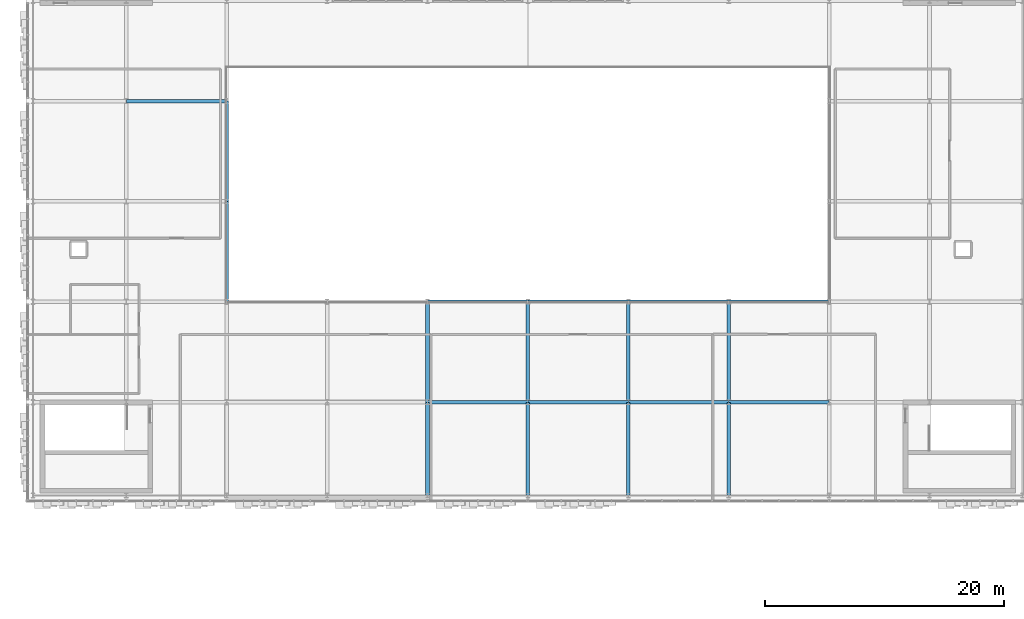
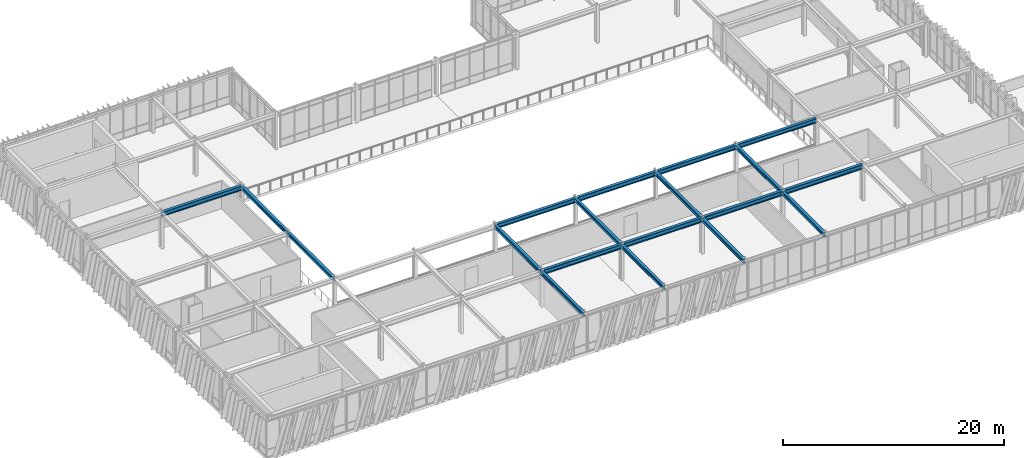
# One storey, part 39 of 123: 19 beams.
"""IFC4 building model written with IfcOpenShell, lengths in metres."""

from ifc_helpers import new_model, si_unit, direction, frame, origin, origin_2d, place, context, subcontext, project, spatial, i_section, extrude, material, material_profile, profile_set, type_object, element, save


model = new_model("IFC4")

# Units and contexts
model_context = context("Model", 3, precision=1e-05, world=origin(), true_north=direction((0.0, 1.0)))
body_context = subcontext(model_context, "Body", "Model", "MODEL_VIEW")
ifc_project = project(units=[si_unit("LENGTHUNIT", "METRE"), si_unit("AREAUNIT", "SQUARE_METRE"), si_unit("VOLUMEUNIT", "CUBIC_METRE"), si_unit("PLANEANGLEUNIT", "RADIAN"), si_unit("MASSUNIT", "GRAM", prefix="KILO")], contexts=[model_context])

# Site, building, storey
site_placement = place(None, origin())
site = spatial("IfcSite", under=ifc_project, at=site_placement, CompositionType="ELEMENT")
building_placement = place(site_placement, origin())
building = spatial("IfcBuilding", under=site, at=building_placement, Name="Zayran Congress Hotel", CompositionType="ELEMENT")
storey_placement = place(building_placement, frame((0.0, 0.0, 15.0)))
storey = spatial("IfcBuildingStorey", under=building, at=storey_placement, Name="L03", CompositionType="ELEMENT", Elevation=15.0)

# Beams
ifc_material = material(Name="Steel S355", Category="steel")
ifc_material_profile_1 = material_profile(ifc_material, i_section(OverallWidth=0.300048828125, OverallDepth=0.489990234375, WebThickness=0.011962890625, FlangeThickness=0.02294921875, at=origin_2d()), Name="HEA 500")
ifc_profile_set_1 = profile_set([ifc_material_profile_1], Name="Steel S355")
beam_type_1 = type_object("IfcBeamType", Name="TP-BM-05", PredefinedType="BEAM", material=ifc_profile_set_1)
beam_1_placement = place(storey_placement, frame((42.0, 76.0, 3.735107421875), z_axis=(1.0, 0.0, 0.0), x_axis=(0.0, 1.0, 0.0)))
element("IfcBeam", 1, at=beam_1_placement, inside=storey, type_object=beam_type_1, Name="BM-V1-L03-0805", PredefinedType="BEAM", context=body_context, shape_type="SweptSolid", body=[
    extrude(i_section(OverallWidth=0.300048828125, OverallDepth=0.489990234375, WebThickness=0.011962890625, FlangeThickness=0.02294921875, at=origin_2d()), origin(), (0.0, 0.0, 1.0), 8.39990234375),
])
beam_2_placement = place(storey_placement, frame((50.39990234375, 76.0, 3.735107421875), z_axis=(1.0, 0.0, 0.0), x_axis=(0.0, 1.0, 0.0)))
element("IfcBeam", 2, at=beam_2_placement, inside=storey, type_object=beam_type_1, Name="BM-V1-L03-0806", PredefinedType="BEAM", context=body_context, shape_type="SweptSolid", body=[
    extrude(i_section(OverallWidth=0.300048828125, OverallDepth=0.489990234375, WebThickness=0.011962890625, FlangeThickness=0.02294921875, at=origin_2d()), origin(), (0.0, 0.0, 1.0), 8.400146484375),
])
beam_3_placement = place(storey_placement, frame((58.800048828125, 76.0, 3.735107421875), z_axis=(1.0, 0.0, 0.0), x_axis=(0.0, 1.0, 0.0)))
element("IfcBeam", 3, at=beam_3_placement, inside=storey, type_object=beam_type_1, Name="BM-V1-L03-0807", PredefinedType="BEAM", context=body_context, shape_type="SweptSolid", body=[
    extrude(i_section(OverallWidth=0.300048828125, OverallDepth=0.489990234375, WebThickness=0.011962890625, FlangeThickness=0.02294921875, at=origin_2d()), origin(), (0.0, 0.0, 1.0), 8.39990234375),
])
beam_4_placement = place(storey_placement, frame((67.199951171875, 76.0, 3.735107421875), z_axis=(1.0, 0.0, 0.0), x_axis=(0.0, 1.0, 0.0)))
element("IfcBeam", 4, at=beam_4_placement, inside=storey, type_object=beam_type_1, Name="BM-V1-L03-0808", PredefinedType="BEAM", context=body_context, shape_type="SweptSolid", body=[
    extrude(i_section(OverallWidth=0.300048828125, OverallDepth=0.489990234375, WebThickness=0.011962890625, FlangeThickness=0.02294921875, at=origin_2d()), origin(), (0.0, 0.0, 1.0), 8.400146484375),
])
beam_5_placement = place(storey_placement, frame((42.0, 84.39990234375, 3.735107421875), z_axis=(1.0, 0.0, 0.0), x_axis=(0.0, 1.0, 0.0)))
element("IfcBeam", 5, at=beam_5_placement, inside=storey, type_object=beam_type_1, Name="BM-V1-L03-0815", PredefinedType="BEAM", context=body_context, shape_type="SweptSolid", body=[
    extrude(i_section(OverallWidth=0.300048828125, OverallDepth=0.489990234375, WebThickness=0.011962890625, FlangeThickness=0.02294921875, at=origin_2d()), origin(), (0.0, 0.0, 1.0), 8.39990234375),
])
beam_6_placement = place(storey_placement, frame((50.39990234375, 84.39990234375, 3.735107421875), z_axis=(1.0, 0.0, 0.0), x_axis=(0.0, 1.0, 0.0)))
element("IfcBeam", 6, at=beam_6_placement, inside=storey, type_object=beam_type_1, Name="BM-V1-L03-0816", PredefinedType="BEAM", context=body_context, shape_type="SweptSolid", body=[
    extrude(i_section(OverallWidth=0.300048828125, OverallDepth=0.489990234375, WebThickness=0.011962890625, FlangeThickness=0.02294921875, at=origin_2d()), origin(), (0.0, 0.0, 1.0), 8.400146484375),
])
beam_7_placement = place(storey_placement, frame((58.800048828125, 84.39990234375, 3.735107421875), z_axis=(1.0, 0.0, 0.0), x_axis=(0.0, 1.0, 0.0)))
element("IfcBeam", 7, at=beam_7_placement, inside=storey, type_object=beam_type_1, Name="BM-V1-L03-0817", PredefinedType="BEAM", context=body_context, shape_type="SweptSolid", body=[
    extrude(i_section(OverallWidth=0.300048828125, OverallDepth=0.489990234375, WebThickness=0.011962890625, FlangeThickness=0.02294921875, at=origin_2d()), origin(), (0.0, 0.0, 1.0), 8.39990234375),
])
beam_8_placement = place(storey_placement, frame((67.199951171875, 84.39990234375, 3.735107421875), z_axis=(1.0, 0.0, 0.0), x_axis=(0.0, 1.0, 0.0)))
element("IfcBeam", 8, at=beam_8_placement, inside=storey, type_object=beam_type_1, Name="BM-V1-L03-0818", PredefinedType="BEAM", context=body_context, shape_type="SweptSolid", body=[
    extrude(i_section(OverallWidth=0.300048828125, OverallDepth=0.489990234375, WebThickness=0.011962890625, FlangeThickness=0.02294921875, at=origin_2d()), origin(), (0.0, 0.0, 1.0), 8.400146484375),
])
beam_9_placement = place(storey_placement, frame((16.800048828125, 101.199951171875, 3.735107421875), z_axis=(1.0, 0.0, 0.0), x_axis=(0.0, 1.0, 0.0)))
element("IfcBeam", 9, at=beam_9_placement, inside=storey, type_object=beam_type_1, Name="BM-V1-L03-0826", PredefinedType="BEAM", context=body_context, shape_type="SweptSolid", body=[
    extrude(i_section(OverallWidth=0.300048828125, OverallDepth=0.489990234375, WebThickness=0.011962890625, FlangeThickness=0.02294921875, at=origin_2d()), origin(), (0.0, 0.0, 1.0), 8.39990234375),
])
ifc_material_profile_2 = material_profile(ifc_material, i_section(OverallWidth=0.300048828125, OverallDepth=0.389892578125, WebThickness=0.010986328125, FlangeThickness=0.01904296875, at=origin_2d()), Name="HEA 400")
ifc_profile_set_2 = profile_set([ifc_material_profile_2], Name="Steel S355")
beam_type_2 = type_object("IfcBeamType", Name="TP-BM-06", PredefinedType="BEAM", material=ifc_profile_set_2)
beam_10_placement = place(storey_placement, frame((25.199951171875, 84.39990234375, 3.784912109375), z_axis=(0.0, 1.0, 0.0), x_axis=(-1.0, 0.0, 0.0)))
element("IfcBeam", 10, at=beam_10_placement, inside=storey, type_object=beam_type_2, Name="BM-V1-L03-0861", PredefinedType="BEAM", context=body_context, shape_type="SweptSolid", body=[
    extrude(i_section(OverallWidth=0.300048828125, OverallDepth=0.389892578125, WebThickness=0.010986328125, FlangeThickness=0.01904296875, at=origin_2d()), origin(), (0.0, 0.0, 1.0), 8.400146484375),
])
beam_11_placement = place(storey_placement, frame((25.199951171875, 92.800048828125, 3.784912109375), z_axis=(0.0, 1.0, 0.0), x_axis=(-1.0, 0.0, 0.0)))
element("IfcBeam", 11, at=beam_11_placement, inside=storey, type_object=beam_type_2, Name="BM-V1-L03-0862", PredefinedType="BEAM", context=body_context, shape_type="SweptSolid", body=[
    extrude(i_section(OverallWidth=0.300048828125, OverallDepth=0.389892578125, WebThickness=0.010986328125, FlangeThickness=0.01904296875, at=origin_2d()), origin(), (0.0, 0.0, 1.0), 8.39990234375),
])
beam_12_placement = place(storey_placement, frame((42.0, 68.199951171875, 3.784912109375), z_axis=(0.0, 1.0, 0.0), x_axis=(-1.0, 0.0, 0.0)))
element("IfcBeam", 12, at=beam_12_placement, inside=storey, type_object=beam_type_2, Name="BM-V1-L03-0868", PredefinedType="BEAM", context=body_context, shape_type="SweptSolid", body=[
    extrude(i_section(OverallWidth=0.300048828125, OverallDepth=0.389892578125, WebThickness=0.010986328125, FlangeThickness=0.01904296875, at=origin_2d()), origin(), (0.0, 0.0, 1.0), 7.800048828125),
])
beam_13_placement = place(storey_placement, frame((42.0, 76.0, 3.784912109375), z_axis=(0.0, 1.0, 0.0), x_axis=(-1.0, 0.0, 0.0)))
element("IfcBeam", 13, at=beam_13_placement, inside=storey, type_object=beam_type_2, Name="BM-V1-L03-0869", PredefinedType="BEAM", context=body_context, shape_type="SweptSolid", body=[
    extrude(i_section(OverallWidth=0.300048828125, OverallDepth=0.389892578125, WebThickness=0.010986328125, FlangeThickness=0.01904296875, at=origin_2d()), origin(), (0.0, 0.0, 1.0), 8.39990234375),
])
beam_14_placement = place(storey_placement, frame((50.39990234375, 68.199951171875, 3.784912109375), z_axis=(0.0, 1.0, 0.0), x_axis=(-1.0, 0.0, 0.0)))
element("IfcBeam", 14, at=beam_14_placement, inside=storey, type_object=beam_type_2, Name="BM-V1-L03-0871", PredefinedType="BEAM", context=body_context, shape_type="SweptSolid", body=[
    extrude(i_section(OverallWidth=0.300048828125, OverallDepth=0.389892578125, WebThickness=0.010986328125, FlangeThickness=0.01904296875, at=origin_2d()), origin(), (0.0, 0.0, 1.0), 7.800048828125),
])
beam_15_placement = place(storey_placement, frame((50.39990234375, 76.0, 3.784912109375), z_axis=(0.0, 1.0, 0.0), x_axis=(-1.0, 0.0, 0.0)))
element("IfcBeam", 15, at=beam_15_placement, inside=storey, type_object=beam_type_2, Name="BM-V1-L03-0872", PredefinedType="BEAM", context=body_context, shape_type="SweptSolid", body=[
    extrude(i_section(OverallWidth=0.300048828125, OverallDepth=0.389892578125, WebThickness=0.010986328125, FlangeThickness=0.01904296875, at=origin_2d()), origin(), (0.0, 0.0, 1.0), 8.39990234375),
])
beam_16_placement = place(storey_placement, frame((58.800048828125, 68.199951171875, 3.784912109375), z_axis=(0.0, 1.0, 0.0), x_axis=(-1.0, 0.0, 0.0)))
element("IfcBeam", 16, at=beam_16_placement, inside=storey, type_object=beam_type_2, Name="BM-V1-L03-0874", PredefinedType="BEAM", context=body_context, shape_type="SweptSolid", body=[
    extrude(i_section(OverallWidth=0.300048828125, OverallDepth=0.389892578125, WebThickness=0.010986328125, FlangeThickness=0.01904296875, at=origin_2d()), origin(), (0.0, 0.0, 1.0), 7.800048828125),
])
beam_17_placement = place(storey_placement, frame((58.800048828125, 76.0, 3.784912109375), z_axis=(0.0, 1.0, 0.0), x_axis=(-1.0, 0.0, 0.0)))
element("IfcBeam", 17, at=beam_17_placement, inside=storey, type_object=beam_type_2, Name="BM-V1-L03-0875", PredefinedType="BEAM", context=body_context, shape_type="SweptSolid", body=[
    extrude(i_section(OverallWidth=0.300048828125, OverallDepth=0.389892578125, WebThickness=0.010986328125, FlangeThickness=0.01904296875, at=origin_2d()), origin(), (0.0, 0.0, 1.0), 8.39990234375),
])
beam_18_placement = place(storey_placement, frame((67.199951171875, 68.199951171875, 3.784912109375), z_axis=(0.0, 1.0, 0.0), x_axis=(-1.0, 0.0, 0.0)))
element("IfcBeam", 18, at=beam_18_placement, inside=storey, type_object=beam_type_2, Name="BM-V1-L03-0877", PredefinedType="BEAM", context=body_context, shape_type="SweptSolid", body=[
    extrude(i_section(OverallWidth=0.300048828125, OverallDepth=0.389892578125, WebThickness=0.010986328125, FlangeThickness=0.01904296875, at=origin_2d()), origin(), (0.0, 0.0, 1.0), 7.800048828125),
])
beam_19_placement = place(storey_placement, frame((67.199951171875, 76.0, 3.784912109375), z_axis=(0.0, 1.0, 0.0), x_axis=(-1.0, 0.0, 0.0)))
element("IfcBeam", 19, at=beam_19_placement, inside=storey, type_object=beam_type_2, Name="BM-V1-L03-0878", PredefinedType="BEAM", context=body_context, shape_type="SweptSolid", body=[
    extrude(i_section(OverallWidth=0.300048828125, OverallDepth=0.389892578125, WebThickness=0.010986328125, FlangeThickness=0.01904296875, at=origin_2d()), origin(), (0.0, 0.0, 1.0), 8.39990234375),
])

save(model, "model.ifc")
